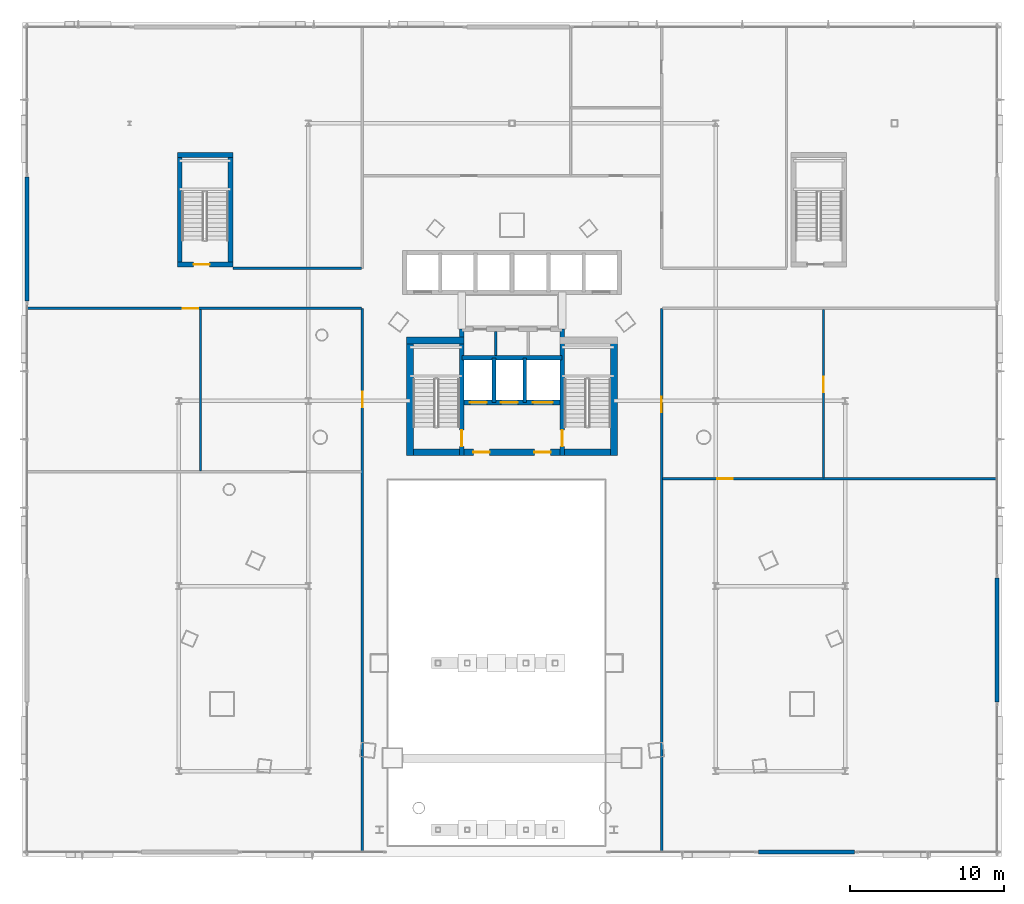
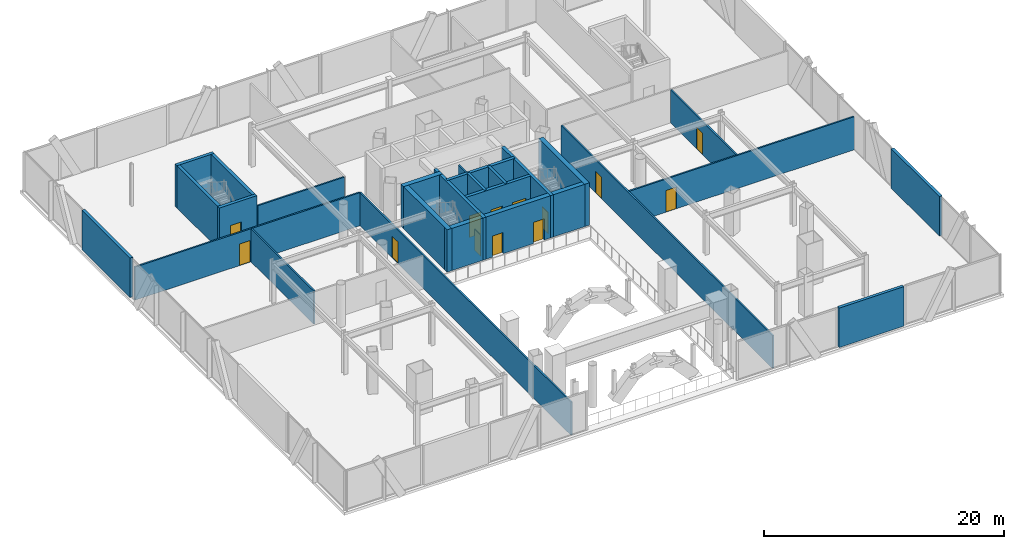
# One storey, part 33 of 42: 25 walls, 13 doors, 13 openings.
"""IFC4 building model written with IfcOpenShell, lengths in metres."""

from ifc_helpers import new_model, si_unit, direction, frame, frame_2d, origin, place, context, subcontext, project, spatial, rectangle, extrude, material, layer, layer_set, type_object, element, fill, save


model = new_model("IFC4")

# Units and contexts
model_context = context("Model", 3, precision=1e-05, world=origin(), true_north=direction((0.0, 1.0)))
body_context = subcontext(model_context, "Body", "Model", "MODEL_VIEW")
ifc_project = project(units=[si_unit("LENGTHUNIT", "METRE"), si_unit("AREAUNIT", "SQUARE_METRE"), si_unit("VOLUMEUNIT", "CUBIC_METRE"), si_unit("PLANEANGLEUNIT", "RADIAN"), si_unit("MASSUNIT", "GRAM", prefix="KILO")], contexts=[model_context])

# Site, building, storey
site_placement = place(None, origin())
site = spatial("IfcSite", under=ifc_project, at=site_placement, CompositionType="ELEMENT")
building_placement = place(site_placement, origin())
building = spatial("IfcBuilding", under=site, at=building_placement, Name="Orvanel Arch Residences", CompositionType="ELEMENT")
storey_placement = place(building_placement, frame((0.0, 0.0, 9.800048828125)))
storey = spatial("IfcBuildingStorey", under=building, at=storey_placement, Name="L02", CompositionType="ELEMENT", Elevation=9.800048828125)

# Walls
ifc_material_1 = material(Name="Precast concrete N50 (50 MPa)", Category="concrete")
ifc_layer_1 = layer(ifc_material_1, 0.280029296875)
ifc_layer_set_1 = layer_set([ifc_layer_1], Name="Precast concrete N50 (50 MPa)")
wall_type_1 = type_object("IfcWallType", Name="EW-POD-280", PredefinedType="SOLIDWALL", material=ifc_layer_set_1)
wall_1_placement = place(storey_placement, frame((55.219970703125, 0.75, 0.0), z_axis=(0.0, 0.0, 1.0), x_axis=(-1.0, 0.0, 0.0)))
element("IfcWall", 1, at=wall_1_placement, inside=storey, type_object=wall_type_1, Name="L02 Podium Solid Spandrel Panel Wall SEP", PredefinedType="SOLIDWALL", context=body_context, shape_type="SweptSolid", body=[
    extrude(rectangle(XDim=6.239990234375, YDim=0.280029296875, at=frame_2d((3.1201171875, 0.0))), origin(), (0.0, 0.0, 1.0), 4.02001953125),
])
for number, where, z_axis, x_axis, name in (
    (2, (64.449951171875, 10.47998046875, 0.0), (0.0, 0.0, 1.0), (0.0, 1.0, 0.0), "L02 Podium Solid E Panel Wall 1"),
    (3, (1.550048828125, 44.52001953125, 0.0), (0.0, 0.0, 1.0), (0.0, -1.0, 0.0), "L02 Podium Solid W Panel Wall 2"),
):
    element("IfcWall", number, at=place(storey_placement, frame(where, z_axis=z_axis, x_axis=x_axis)), inside=storey, type_object=wall_type_1, Name=name, PredefinedType="SOLIDWALL", context=body_context, shape_type="SweptSolid", body=[
        extrude(rectangle(XDim=8.0400390625, YDim=0.280029296875, at=frame_2d((4.02001953125, 0.0))), origin(), (0.0, 0.0, 1.0), 4.02001953125),
    ])
ifc_material_2 = material(Name="Concrete N50 (50 MPa)", Category="concrete")
ifc_layer_2 = layer(ifc_material_2, 0.25)
ifc_layer_set_2 = layer_set([ifc_layer_2], Name="Concrete N50 (50 MPa)")
wall_type_2 = type_object("IfcWallType", Name="SW-CORE-250", PredefinedType="SHEAR", material=ifc_layer_set_2)
for number, where, z_axis, x_axis, name in (
    (4, (31.824951171875, 29.89990234375, 0.0), (0.0, 0.0, 1.0), (0.0, 1.0, 0.0), "L02 Emergency Lift Inter-Shaft Wall F12"),
    (5, (33.824951171875, 29.89990234375, 0.0), (0.0, 0.0, 1.0), (0.0, 1.0, 0.0), "L02 Emergency Lift Inter-Shaft Wall F2G"),
):
    element("IfcWall", number, at=place(storey_placement, frame(where, z_axis=z_axis, x_axis=x_axis)), inside=storey, type_object=wall_type_2, Name=name, PredefinedType="SHEAR", context=body_context, shape_type="SweptSolid", body=[
        extrude(rectangle(XDim=2.900146484375, YDim=0.25, at=frame_2d((1.4501953125, 0.0))), origin(), (0.0, 0.0, 1.0), 4.300048828125),
    ])

# Wall, opening, door
ifc_material_3 = material(Name="Concrete S80 (80 MPa)", Category="concrete")
ifc_layer_3 = layer(ifc_material_3, 0.300048828125)
ifc_layer_set_3 = layer_set([ifc_layer_3], Name="Concrete S80 (80 MPa)")
wall_type_3 = type_object("IfcWallType", Name="SW-CORE-300", PredefinedType="SHEAR", material=ifc_layer_set_3)
wall_2_placement = place(storey_placement, frame((29.75, 26.449951171875, 0.0), z_axis=(0.0, 0.0, 1.0), x_axis=(0.0, 1.0, 0.0)))
wall_2 = element("IfcWall", 6, at=wall_2_placement, inside=storey, type_object=wall_type_3, Name="L02 West Inner Core Spine Shear Wall", PredefinedType="SHEAR", context=body_context, shape_type="SweptSolid", body=[
    extrude(rectangle(XDim=8.199951171875, YDim=0.300048828125, at=frame_2d((4.10009765625, 0.0))), origin(), (0.0, 0.0, 1.0), 4.300048828125),
])
opening_1_placement = place(wall_2_placement, frame((0.60009765625, 0.0, 0.0)))
opening_1 = element("IfcOpeningElement", 7, at=opening_1_placement, cuts=wall_2, Name="Opening DF-120", PredefinedType="OPENING", context=body_context, shape_type="SweptSolid", body=[
    extrude(rectangle(XDim=1.050048828125, YDim=2.14990234375, at=frame_2d((0.52490234375, 1.074951171875))), frame((0.0, 0.159912109375, 0.0), z_axis=(0.0, -1.0, 0.0), x_axis=(1.0, 0.0, 0.0)), (0.0, 0.0, 1.0), 0.320068359375),
])
ifc_material_4 = material(Name="Galvanised steel fire-resisting door assembly", Category="steel")
door_type_1 = type_object("IfcDoorType", Name="DR-FD120-1050", OperationType="NOTDEFINED", PredefinedType="DOOR", material=ifc_material_4)
door_1_placement = place(opening_1_placement, origin())
door_1 = element("IfcDoor", 8, at=door_1_placement, inside=storey, type_object=door_type_1, Name="DR-L02-ST1 L02 Stair 1 Fire Door", OperationType="SINGLE_SWING_LEFT", OverallHeight=2.14990234375, OverallWidth=1.050048828125, PredefinedType="DOOR", context=body_context, shape_type="SweptSolid", body=[
    extrude(rectangle(XDim=1.050048828125, YDim=2.14990234375, at=frame_2d((0.52490234375, 1.074951171875))), frame((0.0, 0.02490234375, 0.0), z_axis=(0.0, -1.0, 0.0), x_axis=(1.0, 0.0, 0.0)), (0.0, 0.0, 1.0), 0.050048828125),
])
fill(opening_1, door_1)

wall_3_placement = place(storey_placement, frame((36.25, 26.449951171875, 0.0), z_axis=(0.0, 0.0, 1.0), x_axis=(0.0, 1.0, 0.0)))
wall_3 = element("IfcWall", 9, at=wall_3_placement, inside=storey, type_object=wall_type_3, Name="L02 East Inner Core Spine Shear Wall", PredefinedType="SHEAR", context=body_context, shape_type="SweptSolid", body=[
    extrude(rectangle(XDim=8.199951171875, YDim=0.300048828125, at=frame_2d((4.10009765625, 0.0))), origin(), (0.0, 0.0, 1.0), 4.300048828125),
])
opening_2_placement = place(wall_3_placement, frame((0.60009765625, 0.0, 0.0)))
opening_2 = element("IfcOpeningElement", 10, at=opening_2_placement, cuts=wall_3, Name="Opening DF-120", PredefinedType="OPENING", context=body_context, shape_type="SweptSolid", body=[
    extrude(rectangle(XDim=1.050048828125, YDim=2.14990234375, at=frame_2d((0.52490234375, 1.074951171875))), frame((0.0, 0.159912109375, 0.0), z_axis=(0.0, -1.0, 0.0), x_axis=(1.0, 0.0, 0.0)), (0.0, 0.0, 1.0), 0.320068359375),
])
door_2_placement = place(opening_2_placement, origin())
door_2 = element("IfcDoor", 11, at=door_2_placement, inside=storey, type_object=door_type_1, Name="DR-L02-ST2 L02 Stair 2 Fire Door", OperationType="SINGLE_SWING_RIGHT", OverallHeight=2.14990234375, OverallWidth=1.050048828125, PredefinedType="DOOR", context=body_context, shape_type="SweptSolid", body=[
    extrude(rectangle(XDim=1.050048828125, YDim=2.14990234375, at=frame_2d((0.52490234375, 1.074951171875))), frame((0.0, 0.02490234375, 0.0), z_axis=(0.0, -1.0, 0.0), x_axis=(1.0, 0.0, 0.0)), (0.0, 0.0, 1.0), 0.050048828125),
])
fill(opening_2, door_2)

# Wall, openings, doors
wall_4_placement = place(storey_placement, frame((36.25, 29.89990234375, 0.0), z_axis=(0.0, 0.0, 1.0), x_axis=(-1.0, 0.0, 0.0)))
wall_4 = element("IfcWall", 12, at=wall_4_placement, inside=storey, type_object=wall_type_3, Name="L02 Emergency Lift Front Core Shear Wall", PredefinedType="SHEAR", context=body_context, shape_type="SweptSolid", body=[
    extrude(rectangle(XDim=6.5, YDim=0.300048828125, at=frame_2d((3.25, 0.0))), origin(), (0.0, 0.0, 1.0), 4.300048828125),
])
opening_3_placement = place(wall_4_placement, frame((4.875, 0.0, 0.0)))
opening_3 = element("IfcOpeningElement", 13, at=opening_3_placement, cuts=wall_4, Name="Opening LD-110", PredefinedType="OPENING", context=body_context, shape_type="SweptSolid", body=[
    extrude(rectangle(XDim=1.10009765625, YDim=2.199951171875, at=frame_2d((0.550048828125, 1.10009765625))), frame((0.0, 0.159912109375, 0.0), z_axis=(0.0, -1.0, 0.0), x_axis=(1.0, 0.0, 0.0)), (0.0, 0.0, 1.0), 0.320068359375),
])
opening_4_placement = place(wall_4_placement, frame((2.875, 0.0, 0.0)))
opening_4 = element("IfcOpeningElement", 14, at=opening_4_placement, cuts=wall_4, Name="Opening LD-110", PredefinedType="OPENING", context=body_context, shape_type="SweptSolid", body=[
    extrude(rectangle(XDim=1.10009765625, YDim=2.199951171875, at=frame_2d((0.550048828125, 1.10009765625))), frame((0.0, 0.159912109375, 0.0), z_axis=(0.0, -1.0, 0.0), x_axis=(1.0, 0.0, 0.0)), (0.0, 0.0, 1.0), 0.320068359375),
])
opening_5_placement = place(wall_4_placement, frame((0.60009765625, 0.0, 0.0)))
opening_5 = element("IfcOpeningElement", 15, at=opening_5_placement, cuts=wall_4, Name="Opening LD-130", PredefinedType="OPENING", context=body_context, shape_type="SweptSolid", body=[
    extrude(rectangle(XDim=1.300048828125, YDim=2.199951171875, at=frame_2d((0.64990234375, 1.10009765625))), frame((0.0, 0.159912109375, 0.0), z_axis=(0.0, -1.0, 0.0), x_axis=(1.0, 0.0, 0.0)), (0.0, 0.0, 1.0), 0.320068359375),
])
door_type_2 = type_object("IfcDoorType", Name="DR-LFT-1100", OperationType="NOTDEFINED", PredefinedType="DOOR", material=ifc_material_4)
door_3_placement = place(opening_3_placement, origin())
door_3 = element("IfcDoor", 16, at=door_3_placement, inside=storey, type_object=door_type_2, Name="LD-F1-L02 L02 Lift F1 Sliding Landing Door", OperationType="DOUBLE_DOOR_SLIDING", OverallHeight=2.199951171875, OverallWidth=1.10009765625, PredefinedType="DOOR", context=body_context, shape_type="SweptSolid", body=[
    extrude(rectangle(XDim=1.10009765625, YDim=2.199951171875, at=frame_2d((0.550048828125, 1.10009765625))), frame((0.0, 0.02490234375, 0.0), z_axis=(0.0, -1.0, 0.0), x_axis=(1.0, 0.0, 0.0)), (0.0, 0.0, 1.0), 0.050048828125),
])
fill(opening_3, door_3)
door_4_placement = place(opening_4_placement, origin())
door_4 = element("IfcDoor", 17, at=door_4_placement, inside=storey, type_object=door_type_2, Name="LD-F2-L02 L02 Lift F2 Sliding Landing Door", OperationType="DOUBLE_DOOR_SLIDING", OverallHeight=2.199951171875, OverallWidth=1.10009765625, PredefinedType="DOOR", context=body_context, shape_type="SweptSolid", body=[
    extrude(rectangle(XDim=1.10009765625, YDim=2.199951171875, at=frame_2d((0.550048828125, 1.10009765625))), frame((0.0, 0.02490234375, 0.0), z_axis=(0.0, -1.0, 0.0), x_axis=(1.0, 0.0, 0.0)), (0.0, 0.0, 1.0), 0.050048828125),
])
fill(opening_4, door_4)
door_type_3 = type_object("IfcDoorType", Name="DR-LFT-1300", OperationType="NOTDEFINED", PredefinedType="DOOR", material=ifc_material_4)
door_5_placement = place(opening_5_placement, origin())
door_5 = element("IfcDoor", 18, at=door_5_placement, inside=storey, type_object=door_type_3, Name="LD-G1-L02 L02 Lift G1 Sliding Landing Door", OperationType="DOUBLE_DOOR_SLIDING", OverallHeight=2.199951171875, OverallWidth=1.300048828125, PredefinedType="DOOR", context=body_context, shape_type="SweptSolid", body=[
    extrude(rectangle(XDim=1.300048828125, YDim=2.199951171875, at=frame_2d((0.64990234375, 1.10009765625))), frame((0.0, 0.02490234375, 0.0), z_axis=(0.0, -1.0, 0.0), x_axis=(1.0, 0.0, 0.0)), (0.0, 0.0, 1.0), 0.050048828125),
])
fill(opening_5, door_5)

# Walls
wall_5_placement = place(storey_placement, frame((29.75, 32.800048828125, 0.0), z_axis=(0.0, 0.0, 1.0), x_axis=(1.0, 0.0, 0.0)))
element("IfcWall", 19, at=wall_5_placement, inside=storey, type_object=wall_type_3, Name="L02 Emergency Lift Back Core Shear Wall", PredefinedType="SHEAR", context=body_context, shape_type="SweptSolid", body=[
    extrude(rectangle(XDim=6.5, YDim=0.300048828125, at=frame_2d((3.25, 0.0))), origin(), (0.0, 0.0, 1.0), 4.300048828125),
])
for number, where, z_axis, x_axis, name in (
    (20, (11.449951171875, 38.699951171875, 0.0), (0.0, 0.0, 1.0), (0.0, 1.0, 0.0), "L02 ST3 West Shear Wall"),
    (21, (14.75, 38.699951171875, 0.0), (0.0, 0.0, 1.0), (0.0, 1.0, 0.0), "L02 ST3 East Shear Wall"),
):
    element("IfcWall", number, at=place(storey_placement, frame(where, z_axis=z_axis, x_axis=x_axis)), inside=storey, type_object=wall_type_3, Name=name, PredefinedType="SHEAR", context=body_context, shape_type="SweptSolid", body=[
        extrude(rectangle(XDim=7.400146484375, YDim=0.300048828125, at=frame_2d((3.7001953125, 0.0))), origin(), (0.0, 0.0, 1.0), 4.300048828125),
    ])
wall_6_placement = place(storey_placement, frame((11.300048828125, 45.949951171875, 0.0), z_axis=(0.0, 0.0, 1.0), x_axis=(1.0, 0.0, 0.0)))
element("IfcWall", 22, at=wall_6_placement, inside=storey, type_object=wall_type_3, Name="L02 ST3 North Shear Wall", PredefinedType="SHEAR", context=body_context, shape_type="SweptSolid", body=[
    extrude(rectangle(XDim=3.599853515625, YDim=0.300048828125, at=frame_2d((1.7998046875, 0.0))), origin(), (0.0, 0.0, 1.0), 4.300048828125),
])

# Wall, opening, door
wall_7_placement = place(storey_placement, frame((11.300048828125, 38.85009765625, 0.0), z_axis=(0.0, 0.0, 1.0), x_axis=(1.0, 0.0, 0.0)))
wall_7 = element("IfcWall", 23, at=wall_7_placement, inside=storey, type_object=wall_type_3, Name="L02 ST3 South Shear Wall", PredefinedType="SHEAR", context=body_context, shape_type="SweptSolid", body=[
    extrude(rectangle(XDim=3.599853515625, YDim=0.300048828125, at=frame_2d((1.7998046875, 0.0))), origin(), (0.0, 0.0, 1.0), 4.300048828125),
])
opening_6_placement = place(wall_7_placement, frame((1.050048828125, 0.0, 0.0)))
opening_6 = element("IfcOpeningElement", 24, at=opening_6_placement, cuts=wall_7, Name="Opening DF-120", PredefinedType="OPENING", context=body_context, shape_type="SweptSolid", body=[
    extrude(rectangle(XDim=1.050048828125, YDim=2.14990234375, at=frame_2d((0.52490234375, 1.074951171875))), frame((0.0, 0.159912109375, 0.0), z_axis=(0.0, -1.0, 0.0), x_axis=(1.0, 0.0, 0.0)), (0.0, 0.0, 1.0), 0.320068359375),
])
door_6_placement = place(opening_6_placement, origin())
door_6 = element("IfcDoor", 25, at=door_6_placement, inside=storey, type_object=door_type_1, Name="DR-L02-ST3 L02 ST3 Exit Door", OperationType="SINGLE_SWING_LEFT", OverallHeight=2.14990234375, OverallWidth=1.050048828125, PredefinedType="DOOR", context=body_context, shape_type="SweptSolid", body=[
    extrude(rectangle(XDim=1.050048828125, YDim=2.14990234375, at=frame_2d((0.52490234375, 1.074951171875))), frame((0.0, 0.02490234375, 0.0), z_axis=(0.0, -1.0, 0.0), x_axis=(1.0, 0.0, 0.0)), (0.0, 0.0, 1.0), 0.050048828125),
])
fill(opening_6, door_6)

# Wall, openings, doors
ifc_layer_4 = layer(ifc_material_3, 0.449951171875)
ifc_layer_set_4 = layer_set([ifc_layer_4], Name="Concrete S80 (80 MPa)")
wall_type_4 = type_object("IfcWallType", Name="SW-CORE-450", PredefinedType="SHEAR", material=ifc_layer_set_4)
wall_8_placement = place(storey_placement, frame((26.14990234375, 26.675048828125, 0.0), z_axis=(0.0, 0.0, 1.0), x_axis=(1.0, 0.0, 0.0)))
wall_8 = element("IfcWall", 26, at=wall_8_placement, inside=storey, type_object=wall_type_4, Name="L02 South Core Shear Wall", PredefinedType="SHEAR", context=body_context, shape_type="SweptSolid", body=[
    extrude(rectangle(XDim=13.7001953125, YDim=0.449951171875, at=frame_2d((6.85009765625, 0.0))), origin(), (0.0, 0.0, 1.0), 4.300048828125),
])
opening_7_placement = place(wall_8_placement, frame((4.35009765625, 0.0, 0.0)))
opening_7 = element("IfcOpeningElement", 27, at=opening_7_placement, cuts=wall_8, Name="Opening DF-060", PredefinedType="OPENING", context=body_context, shape_type="SweptSolid", body=[
    extrude(rectangle(XDim=1.050048828125, YDim=2.14990234375, at=frame_2d((0.52490234375, 1.074951171875))), frame((0.0, 0.23486328125, 0.0), z_axis=(0.0, -1.0, 0.0), x_axis=(1.0, 0.0, 0.0)), (0.0, 0.0, 1.0), 0.469970703125),
])
opening_8_placement = place(wall_8_placement, frame((8.300048828125, 0.0, 0.0)))
opening_8 = element("IfcOpeningElement", 28, at=opening_8_placement, cuts=wall_8, Name="Opening DF-060", PredefinedType="OPENING", context=body_context, shape_type="SweptSolid", body=[
    extrude(rectangle(XDim=1.050048828125, YDim=2.14990234375, at=frame_2d((0.52490234375, 1.074951171875))), frame((0.0, 0.23486328125, 0.0), z_axis=(0.0, -1.0, 0.0), x_axis=(1.0, 0.0, 0.0)), (0.0, 0.0, 1.0), 0.469970703125),
])
door_type_4 = type_object("IfcDoorType", Name="DR-FD60-1050", OperationType="NOTDEFINED", PredefinedType="DOOR", material=ifc_material_4)
door_7_placement = place(opening_7_placement, origin())
door_7 = element("IfcDoor", 29, at=door_7_placement, inside=storey, type_object=door_type_4, Name="DR-L02-FFL-W L02 West Smoke Lobby Door", OperationType="SINGLE_SWING_LEFT", OverallHeight=2.14990234375, OverallWidth=1.050048828125, PredefinedType="DOOR", context=body_context, shape_type="SweptSolid", body=[
    extrude(rectangle(XDim=1.050048828125, YDim=2.14990234375, at=frame_2d((0.52490234375, 1.074951171875))), frame((0.0, 0.02490234375, 0.0), z_axis=(0.0, -1.0, 0.0), x_axis=(1.0, 0.0, 0.0)), (0.0, 0.0, 1.0), 0.050048828125),
])
fill(opening_7, door_7)
door_8_placement = place(opening_8_placement, origin())
door_8 = element("IfcDoor", 30, at=door_8_placement, inside=storey, type_object=door_type_4, Name="DR-L02-FFL-E L02 East Smoke Lobby Door", OperationType="SINGLE_SWING_RIGHT", OverallHeight=2.14990234375, OverallWidth=1.050048828125, PredefinedType="DOOR", context=body_context, shape_type="SweptSolid", body=[
    extrude(rectangle(XDim=1.050048828125, YDim=2.14990234375, at=frame_2d((0.52490234375, 1.074951171875))), frame((0.0, 0.02490234375, 0.0), z_axis=(0.0, -1.0, 0.0), x_axis=(1.0, 0.0, 0.0)), (0.0, 0.0, 1.0), 0.050048828125),
])
fill(opening_8, door_8)

# Walls
wall_9_placement = place(storey_placement, frame((26.375, 26.449951171875, 0.0), z_axis=(0.0, 0.0, 1.0), x_axis=(0.0, 1.0, 0.0)))
element("IfcWall", 31, at=wall_9_placement, inside=storey, type_object=wall_type_4, Name="L02 West Stair Shear Wall", PredefinedType="SHEAR", context=body_context, shape_type="SweptSolid", body=[
    extrude(rectangle(XDim=7.699951171875, YDim=0.449951171875, at=frame_2d((3.85009765625, 0.0))), origin(), (0.0, 0.0, 1.0), 4.300048828125),
])
wall_10_placement = place(storey_placement, frame((26.14990234375, 33.925048828125, 0.0), z_axis=(0.0, 0.0, 1.0), x_axis=(1.0, 0.0, 0.0)))
element("IfcWall", 32, at=wall_10_placement, inside=storey, type_object=wall_type_4, Name="L02 West Stair North Shear Wall", PredefinedType="SHEAR", context=body_context, shape_type="SweptSolid", body=[
    extrude(rectangle(XDim=3.75, YDim=0.449951171875, at=frame_2d((1.875, 0.0))), origin(), (0.0, 0.0, 1.0), 4.300048828125),
])
wall_11_placement = place(storey_placement, frame((39.625, 26.449951171875, 0.0), z_axis=(0.0, 0.0, 1.0), x_axis=(0.0, 1.0, 0.0)))
element("IfcWall", 33, at=wall_11_placement, inside=storey, type_object=wall_type_4, Name="L02 East Stair Shear Wall", PredefinedType="SHEAR", context=body_context, shape_type="SweptSolid", body=[
    extrude(rectangle(XDim=7.699951171875, YDim=0.449951171875, at=frame_2d((3.85009765625, 0.0))), origin(), (0.0, 0.0, 1.0), 4.300048828125),
])

# Wall, opening, door
ifc_material_5 = material(Name="Acoustic plasterboard lined twin-stud partition", Category="gypsum")
ifc_layer_5 = layer(ifc_material_5, 0.14990234375)
ifc_layer_set_5 = layer_set([ifc_layer_5], Name="Acoustic plasterboard lined twin-stud partition")
wall_type_5 = type_object("IfcWallType", Name="W-POD-150", PredefinedType="PARTITIONING", material=ifc_layer_set_5)
wall_12_placement = place(storey_placement, frame((23.300048828125, 0.764892578125, 0.0), z_axis=(0.0, 0.0, 1.0), x_axis=(0.0, 1.0, 0.0)))
wall_12 = element("IfcWall", 34, at=wall_12_placement, inside=storey, type_object=wall_type_5, Name="L02 West Wing Corridor Wall", PredefinedType="PARTITIONING", context=body_context, shape_type="SweptSolid", body=[
    extrude(rectangle(XDim=35.235107421875, YDim=0.14990234375, at=frame_2d((17.61767578125, 0.0))), origin(), (0.0, 0.0, 1.0), 3.373046875),
])
opening_9_placement = place(wall_12_placement, frame((28.8349609375, 0.0, 0.0)))
opening_9 = element("IfcOpeningElement", 35, at=opening_9_placement, cuts=wall_12, Name="Opening DP-100", PredefinedType="OPENING", context=body_context, shape_type="SweptSolid", body=[
    extrude(rectangle(XDim=1.0, YDim=2.199951171875, at=frame_2d((0.5, 1.10009765625))), frame((0.0, 0.0849609375, 0.0), z_axis=(0.0, -1.0, 0.0), x_axis=(1.0, 0.0, 0.0)), (0.0, 0.0, 1.0), 0.169921875),
])
ifc_material_6 = material(Name="Solid-core European oak veneer fire door leaf", Category="wood")
door_type_5 = type_object("IfcDoorType", Name="DR-POD-1000", OperationType="NOTDEFINED", PredefinedType="DOOR", material=ifc_material_6)
door_9_placement = place(opening_9_placement, origin())
door_9 = element("IfcDoor", 36, at=door_9_placement, inside=storey, type_object=door_type_5, Name="DR-L02-SWA L02 Dental Treatment Clinic Door", OperationType="SINGLE_SWING_LEFT", OverallHeight=2.199951171875, OverallWidth=1.0, PredefinedType="DOOR", context=body_context, shape_type="SweptSolid", body=[
    extrude(rectangle(XDim=1.0, YDim=2.199951171875, at=frame_2d((0.5, 1.10009765625))), frame((0.0, 0.02490234375, 0.0), z_axis=(0.0, -1.0, 0.0), x_axis=(1.0, 0.0, 0.0)), (0.0, 0.0, 1.0), 0.050048828125),
])
fill(opening_9, door_9)

wall_13_placement = place(storey_placement, frame((1.56494140625, 36.0, 0.0), z_axis=(0.0, 0.0, 1.0), x_axis=(1.0, 0.0, 0.0)))
wall_13 = element("IfcWall", 37, at=wall_13_placement, inside=storey, type_object=wall_type_5, Name="L02 West Wing North Wall", PredefinedType="PARTITIONING", context=body_context, shape_type="SweptSolid", body=[
    extrude(rectangle(XDim=21.675048828125, YDim=0.14990234375, at=frame_2d((10.83740234375, 0.0))), origin(), (0.0, 0.0, 1.0), 3.373046875),
])
opening_10_placement = place(wall_13_placement, frame((10.0849609375, 0.0, 0.0)))
opening_10 = element("IfcOpeningElement", 38, at=opening_10_placement, cuts=wall_13, Name="Opening DP-100", PredefinedType="OPENING", context=body_context, shape_type="SweptSolid", body=[
    extrude(rectangle(XDim=1.0, YDim=2.199951171875, at=frame_2d((0.5, 1.10009765625))), frame((0.0, 0.0849609375, 0.0), z_axis=(0.0, -1.0, 0.0), x_axis=(1.0, 0.0, 0.0)), (0.0, 0.0, 1.0), 0.169921875),
])
door_10_placement = place(opening_10_placement, origin())
door_10 = element("IfcDoor", 39, at=door_10_placement, inside=storey, type_object=door_type_5, Name="DR-L02-SWA2 L02 West Clinical Records Store Door", OperationType="SINGLE_SWING_LEFT", OverallHeight=2.199951171875, OverallWidth=1.0, PredefinedType="DOOR", context=body_context, shape_type="SweptSolid", body=[
    extrude(rectangle(XDim=1.0, YDim=2.199951171875, at=frame_2d((0.5, 1.10009765625))), frame((0.0, 0.02490234375, 0.0), z_axis=(0.0, -1.0, 0.0), x_axis=(1.0, 0.0, 0.0)), (0.0, 0.0, 1.0), 0.050048828125),
])
fill(opening_10, door_10)

# Wall
wall_14_placement = place(storey_placement, frame((12.800048828125, 25.4599609375, 0.0), z_axis=(0.0, 0.0, 1.0), x_axis=(0.0, 1.0, 0.0)))
element("IfcWall", 40, at=wall_14_placement, inside=storey, type_object=wall_type_5, Name="L02 West Suite Inner Partition", PredefinedType="PARTITIONING", context=body_context, shape_type="SweptSolid", body=[
    extrude(rectangle(XDim=10.47998046875, YDim=0.14990234375, at=frame_2d((5.239990234375, 0.0))), origin(), (0.0, 0.0, 1.0), 3.373046875),
])

# Wall, opening, door
wall_15_placement = place(storey_placement, frame((42.699951171875, 0.764892578125, 0.0), z_axis=(0.0, 0.0, 1.0), x_axis=(0.0, 1.0, 0.0)))
wall_15 = element("IfcWall", 41, at=wall_15_placement, inside=storey, type_object=wall_type_5, Name="L02 East Wing Corridor Wall", PredefinedType="PARTITIONING", context=body_context, shape_type="SweptSolid", body=[
    extrude(rectangle(XDim=35.235107421875, YDim=0.14990234375, at=frame_2d((17.61767578125, 0.0))), origin(), (0.0, 0.0, 1.0), 3.373046875),
])
opening_11_placement = place(wall_15_placement, frame((28.510009765625, 0.0, 0.0)))
opening_11 = element("IfcOpeningElement", 42, at=opening_11_placement, cuts=wall_15, Name="Opening DP-100", PredefinedType="OPENING", context=body_context, shape_type="SweptSolid", body=[
    extrude(rectangle(XDim=1.0, YDim=2.199951171875, at=frame_2d((0.5, 1.10009765625))), frame((0.0, 0.0849609375, 0.0), z_axis=(0.0, -1.0, 0.0), x_axis=(1.0, 0.0, 0.0)), (0.0, 0.0, 1.0), 0.169921875),
])
door_11_placement = place(opening_11_placement, origin())
door_11 = element("IfcDoor", 43, at=door_11_placement, inside=storey, type_object=door_type_5, Name="DR-L02-SEA L02 Maternal Health Consulting Suite Door", OperationType="SINGLE_SWING_RIGHT", OverallHeight=2.199951171875, OverallWidth=1.0, PredefinedType="DOOR", context=body_context, shape_type="SweptSolid", body=[
    extrude(rectangle(XDim=1.0, YDim=2.199951171875, at=frame_2d((0.5, 1.10009765625))), frame((0.0, 0.02490234375, 0.0), z_axis=(0.0, -1.0, 0.0), x_axis=(1.0, 0.0, 0.0)), (0.0, 0.0, 1.0), 0.050048828125),
])
fill(opening_11, door_11)

wall_16_placement = place(storey_placement, frame((42.760009765625, 24.949951171875, 0.0), z_axis=(0.0, 0.0, 1.0), x_axis=(1.0, 0.0, 0.0)))
wall_16 = element("IfcWall", 44, at=wall_16_placement, inside=storey, type_object=wall_type_5, Name="L02 East Wing Split Wall", PredefinedType="PARTITIONING", context=body_context, shape_type="SweptSolid", body=[
    extrude(rectangle(XDim=21.675048828125, YDim=0.14990234375, at=frame_2d((10.83740234375, 0.0))), origin(), (0.0, 0.0, 1.0), 3.373046875),
])
opening_12_placement = place(wall_16_placement, frame((3.5400390625, 0.0, 0.0)))
opening_12 = element("IfcOpeningElement", 45, at=opening_12_placement, cuts=wall_16, Name="Opening DP-100", PredefinedType="OPENING", context=body_context, shape_type="SweptSolid", body=[
    extrude(rectangle(XDim=1.0, YDim=2.199951171875, at=frame_2d((0.5, 1.10009765625))), frame((0.0, 0.0849609375, 0.0), z_axis=(0.0, -1.0, 0.0), x_axis=(1.0, 0.0, 0.0)), (0.0, 0.0, 1.0), 0.169921875),
])
door_12_placement = place(opening_12_placement, origin())
door_12 = element("IfcDoor", 46, at=door_12_placement, inside=storey, type_object=door_type_5, Name="DR-L02-SEB L02 Clinical Equipment Store Door", OperationType="SINGLE_SWING_RIGHT", OverallHeight=2.199951171875, OverallWidth=1.0, PredefinedType="DOOR", context=body_context, shape_type="SweptSolid", body=[
    extrude(rectangle(XDim=1.0, YDim=2.199951171875, at=frame_2d((0.5, 1.10009765625))), frame((0.0, 0.02490234375, 0.0), z_axis=(0.0, -1.0, 0.0), x_axis=(1.0, 0.0, 0.0)), (0.0, 0.0, 1.0), 0.050048828125),
])
fill(opening_12, door_12)

wall_17_placement = place(storey_placement, frame((53.199951171875, 25.010009765625, 0.0), z_axis=(0.0, 0.0, 1.0), x_axis=(0.0, 1.0, 0.0)))
wall_17 = element("IfcWall", 47, at=wall_17_placement, inside=storey, type_object=wall_type_5, Name="L02 East Suite Inner Partition", PredefinedType="PARTITIONING", context=body_context, shape_type="SweptSolid", body=[
    extrude(rectangle(XDim=10.929931640625, YDim=0.14990234375, at=frame_2d((5.46484375, 0.0))), origin(), (0.0, 0.0, 1.0), 3.373046875),
])
opening_13_placement = place(wall_17_placement, frame((5.56298828125, 0.0, 0.0)))
opening_13 = element("IfcOpeningElement", 48, at=opening_13_placement, cuts=wall_17, Name="Opening DP-100", PredefinedType="OPENING", context=body_context, shape_type="SweptSolid", body=[
    extrude(rectangle(XDim=1.0, YDim=2.199951171875, at=frame_2d((0.5, 1.10009765625))), frame((0.0, 0.0849609375, 0.0), z_axis=(0.0, -1.0, 0.0), x_axis=(1.0, 0.0, 0.0)), (0.0, 0.0, 1.0), 0.169921875),
])
door_13_placement = place(opening_13_placement, origin())
door_13 = element("IfcDoor", 49, at=door_13_placement, inside=storey, type_object=door_type_5, Name="DR-L02-SEA2 L02 East Clinical Store Door", OperationType="SINGLE_SWING_RIGHT", OverallHeight=2.199951171875, OverallWidth=1.0, PredefinedType="DOOR", context=body_context, shape_type="SweptSolid", body=[
    extrude(rectangle(XDim=1.0, YDim=2.199951171875, at=frame_2d((0.5, 1.10009765625))), frame((0.0, 0.02490234375, 0.0), z_axis=(0.0, -1.0, 0.0), x_axis=(1.0, 0.0, 0.0)), (0.0, 0.0, 1.0), 0.050048828125),
])
fill(opening_13, door_13)

# Walls
wall_18_placement = place(storey_placement, frame((14.89990234375, 38.60009765625, 0.0), z_axis=(0.0, 0.0, 1.0), x_axis=(1.0, 0.0, 0.0)))
element("IfcWall", 50, at=wall_18_placement, inside=storey, type_object=wall_type_5, Name="L02 NW Corridor South Wall", PredefinedType="PARTITIONING", context=body_context, shape_type="SweptSolid", body=[
    extrude(rectangle(XDim=8.340087890625, YDim=0.14990234375, at=frame_2d((4.169921875, 0.0))), origin(), (0.0, 0.0, 1.0), 3.373046875),
])
ifc_material_7 = material(Name="Fire-rated plasterboard lined steel stud partition", Category="steel")
ifc_layer_6 = layer(ifc_material_7, 0.14990234375)
ifc_layer_set_6 = layer_set([ifc_layer_6], Name="Fire-rated plasterboard lined steel stud partition")
wall_type_6 = type_object("IfcWallType", Name="W-ST-150", PredefinedType="PARTITIONING", material=ifc_layer_set_6)
wall_19_placement = place(storey_placement, frame((31.949951171875, 32.93505859375, 0.0), z_axis=(0.0, 0.0, 1.0), x_axis=(0.0, 1.0, 0.0)))
element("IfcWall", 51, at=wall_19_placement, inside=storey, type_object=wall_type_6, Name="L02 Core Service Partition 1", PredefinedType="PARTITIONING", context=body_context, shape_type="SweptSolid", body=[
    extrude(rectangle(XDim=1.579833984375, YDim=0.14990234375, at=frame_2d((0.7900390625, 0.0))), origin(), (0.0, 0.0, 1.0), 4.02001953125),
])

save(model, "model.ifc")
